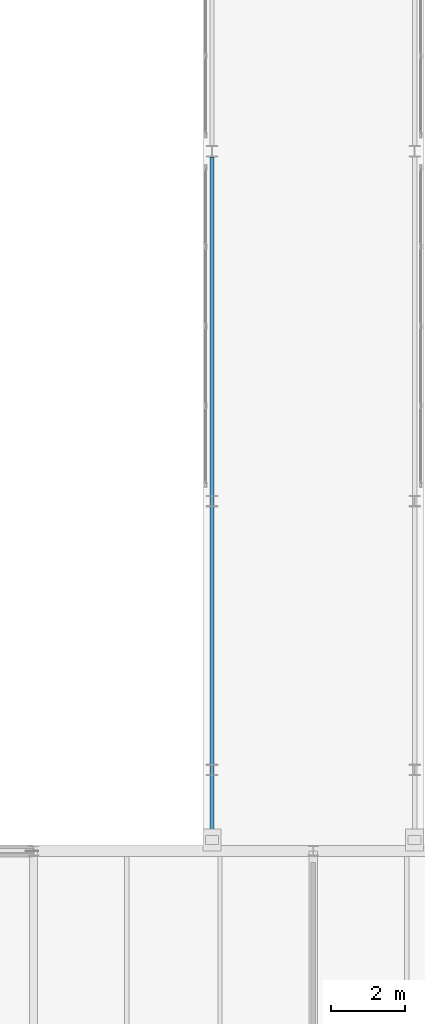
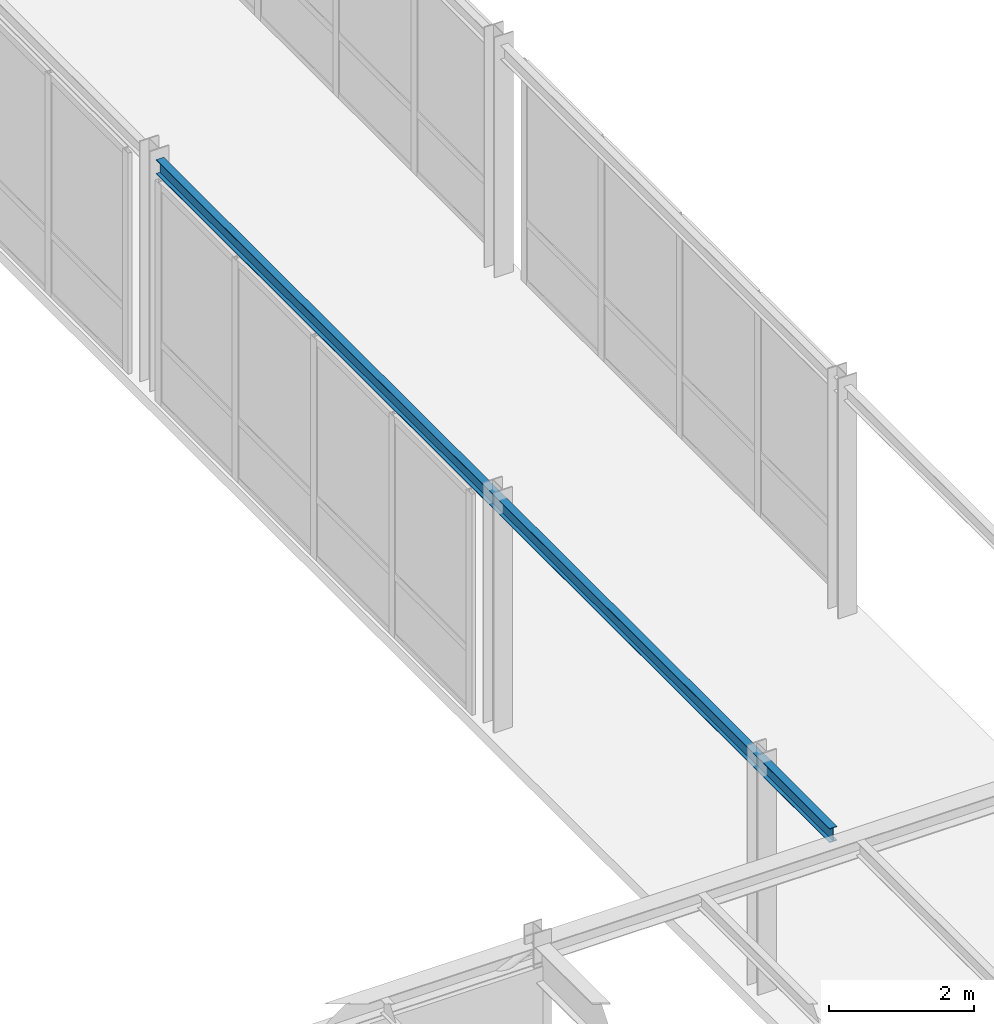
# One storey, part 39 of 165: 1 beam.
"""IFC4 building model written with IfcOpenShell, lengths in metres."""

from ifc_helpers import new_model, si_unit, direction, frame, origin, origin_2d, place, context, subcontext, project, spatial, i_section, extrude, material, material_profile, profile_set, type_object, element, save


model = new_model("IFC4")

# Units and contexts
model_context = context("Model", 3, precision=1e-05, world=origin(), true_north=direction((0.0, 1.0)))
body_context = subcontext(model_context, "Body", "Model", "MODEL_VIEW")
ifc_project = project(units=[si_unit("LENGTHUNIT", "METRE"), si_unit("AREAUNIT", "SQUARE_METRE"), si_unit("VOLUMEUNIT", "CUBIC_METRE"), si_unit("PLANEANGLEUNIT", "RADIAN"), si_unit("MASSUNIT", "GRAM", prefix="KILO")], contexts=[model_context])

# Site, building, storey
site_placement = place(None, origin())
site = spatial("IfcSite", under=ifc_project, at=site_placement, CompositionType="ELEMENT")
building_placement = place(site_placement, origin())
building = spatial("IfcBuilding", under=site, at=building_placement, Name="Montecoro Central Library", CompositionType="ELEMENT")
storey_placement = place(building_placement, frame((0.0, 0.0, 5.10009765625)))
storey = spatial("IfcBuildingStorey", under=building, at=storey_placement, Name="L01", CompositionType="ELEMENT", Elevation=5.10009765625)

# Beam
ifc_material = material(Name="Steel S355", Category="steel")
ifc_material_profile = material_profile(ifc_material, i_section(OverallWidth=0.1201171875, OverallDepth=0.239990234375, WebThickness=0.006103515625, FlangeThickness=0.009765625, at=origin_2d()), Name="IPE 240")
ifc_profile_set = profile_set([ifc_material_profile], Name="Steel S355")
beam_type = type_object("IfcBeamType", Name="BM-SP-IPE240", PredefinedType="SPANDREL", material=ifc_profile_set)
beam_placement = place(storey_placement, frame((25.050048828125, 35.6201171875, 3.77490234375), z_axis=(0.0, 1.0, 0.0), x_axis=(-1.0, 0.0, 0.0)))
element("IfcBeam", 1, at=beam_placement, inside=storey, type_object=beam_type, Name="BR-W-L02-BM-W1", PredefinedType="SPANDREL", context=body_context, shape_type="SweptSolid", body=[
    extrude(i_section(OverallWidth=0.1201171875, OverallDepth=0.239990234375, WebThickness=0.006103515625, FlangeThickness=0.009765625, at=origin_2d()), origin(), (0.0, 0.0, 1.0), 18.619873046875),
])

save(model, "model.ifc")
